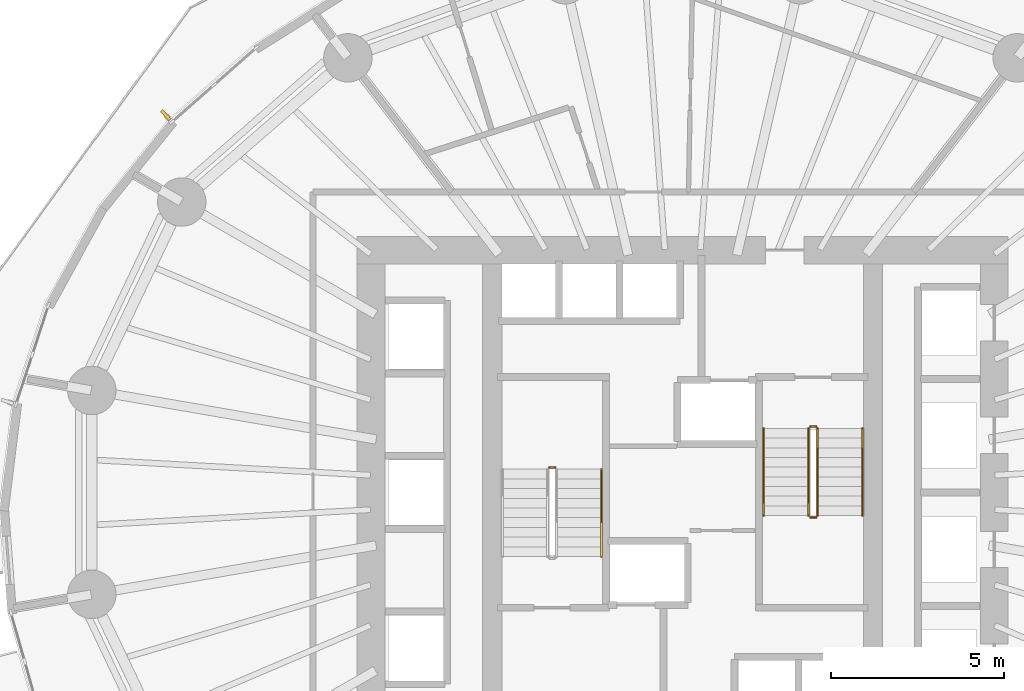
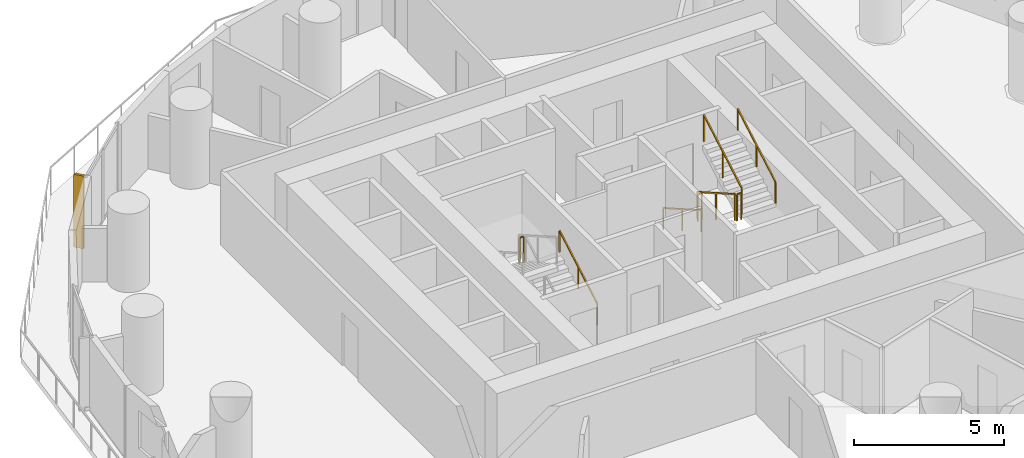
# One storey, part 12 of 13: 8 railings, 1 shading device.
"""IFC4 building model written with IfcOpenShell, lengths in metres."""

from ifc_helpers import new_model, si_unit, direction, frame, origin, origin_2d, place, context, subcontext, project, spatial, rectangle, extrude, material, layer, layer_set, type_object, element, save


model = new_model("IFC4")

# Units and contexts
model_context = context("Model", 3, precision=1e-05, world=origin(), true_north=direction((0.0, 1.0)))
body_context = subcontext(model_context, "Body", "Model", "MODEL_VIEW")
ifc_project = project(units=[si_unit("LENGTHUNIT", "METRE"), si_unit("AREAUNIT", "SQUARE_METRE"), si_unit("VOLUMEUNIT", "CUBIC_METRE"), si_unit("PLANEANGLEUNIT", "RADIAN"), si_unit("MASSUNIT", "GRAM", prefix="KILO")], contexts=[model_context])

# Site, building, storey
site_placement = place(None, origin())
site = spatial("IfcSite", under=ifc_project, at=site_placement, CompositionType="ELEMENT")
building_placement = place(site_placement, origin())
building = spatial("IfcBuilding", under=site, at=building_placement, Name="Veldorim Arch Residences", CompositionType="ELEMENT")
storey_placement = place(building_placement, frame((0.0, 0.0, 47.199951171875)))
storey = spatial("IfcBuildingStorey", under=building, at=storey_placement, Name="L13", CompositionType="ELEMENT", Elevation=47.199951171875)

# Railings
ifc_material_1 = material(Name="Steel S355", Category="steel")
railing_type_1 = type_object("IfcRailingType", Name="Galvanised Steel Stair Safety Guardrail 1100", PredefinedType="GUARDRAIL", material=ifc_material_1)
railing_1_placement = place(storey_placement, frame((28.31005859375, 24.719970703125, 1.60009765625)))
element("IfcRailing", 1, at=railing_1_placement, inside=storey, type_object=railing_type_1, Name="L13 ST-1 stair guard 2", PredefinedType="GUARDRAIL", context=body_context, shape_type="SweptSolid", body=[
    extrude(rectangle(XDim=0.048095703125, YDim=0.048095703125, at=origin_2d()), frame((0.0, 0.0, 1.076171875), z_axis=(-1.0, 0.0, 0.0), x_axis=(0.0, -1.0, 0.0)), (0.0, 0.0, 1.0), 0.16015625),
    extrude(rectangle(XDim=0.0419921875, YDim=0.0419921875, at=origin_2d()), origin(), (0.0, 0.0, 1.0), 1.052001953125),
    extrude(rectangle(XDim=0.0419921875, YDim=0.0419921875, at=origin_2d()), frame((-0.16015625, 0.0, 0.0)), (0.0, 0.0, 1.0), 1.052001953125),
])
railing_2_placement = place(storey_placement, frame((35.639892578125, 25.85009765625, 0.16015625)))
element("IfcRailing", 2, at=railing_2_placement, inside=storey, type_object=railing_type_1, Name="L13 ST-2 stair guard 1", PredefinedType="GUARDRAIL", context=body_context, shape_type="SweptSolid", body=[
    extrude(rectangle(XDim=0.048095703125, YDim=0.048095703125, at=origin_2d()), frame((0.0, 0.0, 1.076171875), z_axis=(0.0, -0.868253494771, 0.496120820787), x_axis=(1.0, 0.0, 0.0)), (0.0, 0.0, 1.0), 2.90234375),
    extrude(rectangle(XDim=0.0419921875, YDim=0.0419921875, at=origin_2d()), origin(), (0.0, 0.0, 1.0), 1.052001953125),
    extrude(rectangle(XDim=0.0419921875, YDim=0.0419921875, at=origin_2d()), frame((0.0, -1.260009765625, 0.719970703125)), (0.0, 0.0, 1.0), 1.052001953125),
    extrude(rectangle(XDim=0.0419921875, YDim=0.0419921875, at=origin_2d()), frame((0.0, -2.52001953125, 1.43994140625)), (0.0, 0.0, 1.0), 1.052001953125),
])
railing_3_placement = place(storey_placement, frame((35.68994140625, 23.280029296875, 1.60009765625)))
element("IfcRailing", 3, at=railing_3_placement, inside=storey, type_object=railing_type_1, Name="L13 ST-2 stair guard 2", PredefinedType="GUARDRAIL", context=body_context, shape_type="SweptSolid", body=[
    extrude(rectangle(XDim=0.048095703125, YDim=0.048095703125, at=origin_2d()), frame((0.0, 0.0, 1.076171875), z_axis=(1.0, 0.0, 0.0), x_axis=(0.0, 1.0, 0.0)), (0.0, 0.0, 1.0), 0.16015625),
    extrude(rectangle(XDim=0.0419921875, YDim=0.0419921875, at=origin_2d()), origin(), (0.0, 0.0, 1.0), 1.052001953125),
    extrude(rectangle(XDim=0.0419921875, YDim=0.0419921875, at=origin_2d()), frame((0.16015625, 0.0, 0.0)), (0.0, 0.0, 1.0), 1.052001953125),
])
railing_4_placement = place(storey_placement, frame((35.89990234375, 23.330078125, 1.760009765625)))
element("IfcRailing", 4, at=railing_4_placement, inside=storey, type_object=railing_type_1, Name="L13 ST-2 stair guard 3", PredefinedType="GUARDRAIL", context=body_context, shape_type="SweptSolid", body=[
    extrude(rectangle(XDim=0.048095703125, YDim=0.048095703125, at=origin_2d()), frame((0.0, 0.0, 1.076171875), z_axis=(0.0, 0.868253494771, 0.496120820787), x_axis=(-1.0, 0.0, 0.0)), (0.0, 0.0, 1.0), 2.90234375),
    extrude(rectangle(XDim=0.0419921875, YDim=0.0419921875, at=origin_2d()), origin(), (0.0, 0.0, 1.0), 1.052001953125),
    extrude(rectangle(XDim=0.0419921875, YDim=0.0419921875, at=origin_2d()), frame((0.0, 1.260009765625, 0.719970703125)), (0.0, 0.0, 1.0), 1.052001953125),
    extrude(rectangle(XDim=0.0419921875, YDim=0.0419921875, at=origin_2d()), frame((0.0, 2.52001953125, 1.43994140625)), (0.0, 0.0, 1.0), 1.052001953125),
])
railing_5_placement = place(storey_placement, frame((35.68994140625, 25.89990234375, 0.0)))
element("IfcRailing", 5, at=railing_5_placement, inside=storey, type_object=railing_type_1, Name="L13 ST-2 stair guard 4", PredefinedType="GUARDRAIL", context=body_context, shape_type="SweptSolid", body=[
    extrude(rectangle(XDim=0.048095703125, YDim=0.048095703125, at=origin_2d()), frame((0.0, 0.0, 1.076171875), z_axis=(1.0, 0.0, 0.0), x_axis=(0.0, 1.0, 0.0)), (0.0, 0.0, 1.0), 0.16015625),
    extrude(rectangle(XDim=0.0419921875, YDim=0.0419921875, at=origin_2d()), origin(), (0.0, 0.0, 1.0), 1.052001953125),
    extrude(rectangle(XDim=0.0419921875, YDim=0.0419921875, at=origin_2d()), frame((0.16015625, 0.0, 0.0)), (0.0, 0.0, 1.0), 1.052001953125),
])
ifc_material_2 = material(Name="Stainless Steel", Category="steel")
railing_type_2 = type_object("IfcRailingType", Name="Tubular Steel Continuous Wall Handrail 900", PredefinedType="HANDRAIL", material=ifc_material_2)
railing_6_placement = place(storey_placement, frame((29.659912109375, 22.14990234375, 0.16015625)))
element("IfcRailing", 6, at=railing_6_placement, inside=storey, type_object=railing_type_2, Name="L13 ST-1 stair handrail 1", PredefinedType="HANDRAIL", context=body_context, shape_type="SweptSolid", body=[
    extrude(rectangle(XDim=0.048095703125, YDim=0.048095703125, at=origin_2d()), frame((0.0, 0.0, 0.8759765625), z_axis=(0.0, 0.868253494771, 0.496120820787), x_axis=(-1.0, 0.0, 0.0)), (0.0, 0.0, 1.0), 2.90234375),
    extrude(rectangle(XDim=0.0419921875, YDim=0.0419921875, at=origin_2d()), origin(), (0.0, 0.0, 1.0), 0.851806640625),
    extrude(rectangle(XDim=0.0419921875, YDim=0.0419921875, at=origin_2d()), frame((0.0, 1.260009765625, 0.719970703125)), (0.0, 0.0, 1.0), 0.851806640625),
    extrude(rectangle(XDim=0.0419921875, YDim=0.0419921875, at=origin_2d()), frame((0.0, 2.52001953125, 1.43994140625)), (0.0, 0.0, 1.0), 0.851806640625),
])
railing_7_placement = place(storey_placement, frame((34.340087890625, 25.85009765625, 0.16015625)))
element("IfcRailing", 7, at=railing_7_placement, inside=storey, type_object=railing_type_2, Name="L13 ST-2 stair handrail 1", PredefinedType="HANDRAIL", context=body_context, shape_type="SweptSolid", body=[
    extrude(rectangle(XDim=0.048095703125, YDim=0.048095703125, at=origin_2d()), frame((0.0, 0.0, 0.8759765625), z_axis=(0.0, -0.868253494771, 0.496120820787), x_axis=(1.0, 0.0, 0.0)), (0.0, 0.0, 1.0), 2.90234375),
    extrude(rectangle(XDim=0.0419921875, YDim=0.0419921875, at=origin_2d()), origin(), (0.0, 0.0, 1.0), 0.851806640625),
    extrude(rectangle(XDim=0.0419921875, YDim=0.0419921875, at=origin_2d()), frame((0.0, -1.260009765625, 0.719970703125)), (0.0, 0.0, 1.0), 0.851806640625),
    extrude(rectangle(XDim=0.0419921875, YDim=0.0419921875, at=origin_2d()), frame((0.0, -2.52001953125, 1.43994140625)), (0.0, 0.0, 1.0), 0.851806640625),
])
railing_8_placement = place(storey_placement, frame((37.199951171875, 23.330078125, 1.760009765625)))
element("IfcRailing", 8, at=railing_8_placement, inside=storey, type_object=railing_type_2, Name="L13 ST-2 stair handrail 2", PredefinedType="HANDRAIL", context=body_context, shape_type="SweptSolid", body=[
    extrude(rectangle(XDim=0.048095703125, YDim=0.048095703125, at=origin_2d()), frame((0.0, 0.0, 0.8759765625), z_axis=(0.0, 0.868253494771, 0.496120820787), x_axis=(-1.0, 0.0, 0.0)), (0.0, 0.0, 1.0), 2.90234375),
    extrude(rectangle(XDim=0.0419921875, YDim=0.0419921875, at=origin_2d()), origin(), (0.0, 0.0, 1.0), 0.851806640625),
    extrude(rectangle(XDim=0.0419921875, YDim=0.0419921875, at=origin_2d()), frame((0.0, 1.260009765625, 0.719970703125)), (0.0, 0.0, 1.0), 0.851806640625),
    extrude(rectangle(XDim=0.0419921875, YDim=0.0419921875, at=origin_2d()), frame((0.0, 2.52001953125, 1.43994140625)), (0.0, 0.0, 1.0), 0.851806640625),
])

# Shading device
ifc_material_3 = material(Name="Terracotta Ceramic", Category="masonry")
ifc_layer = layer(ifc_material_3, 0.090087890625, Name="Vertical Extruded Terracotta Baguette Sun-Shading Fin")
ifc_layer_set = layer_set([ifc_layer], Name="Terracotta Ceramic")
shading_device_type = type_object("IfcShadingDeviceType", Name="Vertical Extruded Terracotta Baguette Sun-Shading Fin", PredefinedType="USERDEFINED", material=ifc_layer_set)
shading_device_placement = place(storey_placement, frame((17.073486328125, 34.89599609375, 0.0), z_axis=(0.0, 0.0, 1.0), x_axis=(0.750226478899, 0.661180936173, 0.0)))
element("IfcShadingDevice", 9, at=shading_device_placement, inside=storey, type_object=shading_device_type, Name="L13 vertical terracotta sun-shading fin 13", ObjectType="FIN", PredefinedType="USERDEFINED", context=body_context, shape_type="SweptSolid", body=[
    extrude(rectangle(XDim=0.090087890625, YDim=0.360107421875, at=origin_2d()), origin(), (0.0, 0.0, 1.0), 2.9599609375),
])

save(model, "model.ifc")
